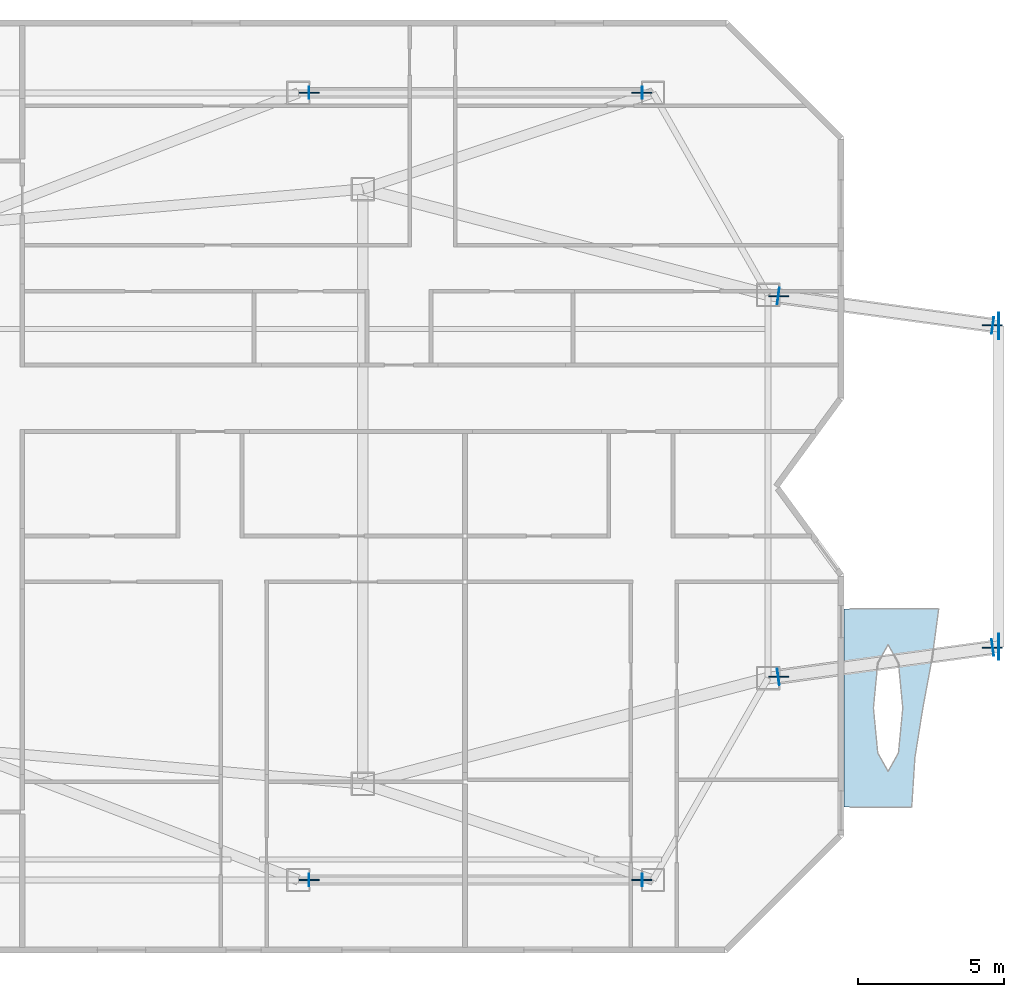
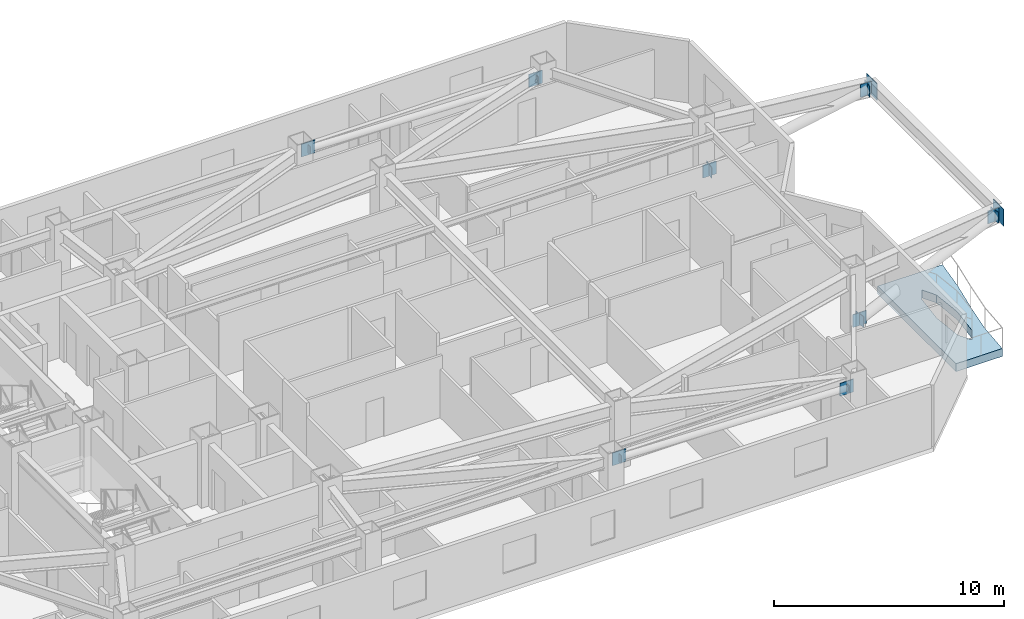
# One storey, part 7 of 14: 18 plates, 1 slab.
"""IFC4 building model written with IfcOpenShell, lengths in metres."""

from ifc_helpers import new_model, si_unit, direction, frame, origin, origin_2d, place, context, subcontext, project, spatial, polyline, rectangle, outline, extrude, material, layer, layer_set, type_object, element, save


model = new_model("IFC4")

# Units and contexts
model_context = context("Model", 3, precision=1e-05, world=origin(), true_north=direction((0.0, 1.0)))
body_context = subcontext(model_context, "Body", "Model", "MODEL_VIEW")
ifc_project = project(units=[si_unit("LENGTHUNIT", "METRE"), si_unit("AREAUNIT", "SQUARE_METRE"), si_unit("VOLUMEUNIT", "CUBIC_METRE"), si_unit("PLANEANGLEUNIT", "RADIAN"), si_unit("MASSUNIT", "GRAM", prefix="KILO")], contexts=[model_context])

# Site, building, storey
site_placement = place(None, origin())
site = spatial("IfcSite", under=ifc_project, at=site_placement, CompositionType="ELEMENT")
building_placement = place(site_placement, origin())
building = spatial("IfcBuilding", under=site, at=building_placement, Name="Khamvora Tower", CompositionType="ELEMENT")
storey_placement = place(building_placement, frame((0.0, 0.0, 261.0)))
storey = spatial("IfcBuildingStorey", under=building, at=storey_placement, Name="L67", CompositionType="ELEMENT", Elevation=261.0)

# Plates
ifc_material_1 = material(Name="Steel S355", Category="steel")
ifc_layer_1 = layer(ifc_material_1, 0.02490234375)
ifc_layer_set_1 = layer_set([ifc_layer_1], Name="Steel S355")
plate_type_1 = type_object("IfcPlateType", Name="PL-CAP-25", PredefinedType="SHEET", material=ifc_layer_set_1)
for number, where, z_axis, x_axis, name in (
    (1, (75.113037109375, 22.5, 2.3701171875), (0.0, 0.0, 1.0), (1.0, 0.0, 0.0), "L67 sky-pool cantilever tip cap plate 1"),
    (2, (75.113037109375, 33.5, 2.3701171875), (0.0, 0.0, 1.0), (1.0, 0.0, 0.0), "L67 sky-pool cantilever tip cap plate 2"),
):
    element("IfcPlate", number, at=place(storey_placement, frame(where, z_axis=z_axis, x_axis=x_axis)), inside=storey, type_object=plate_type_1, Name=name, PredefinedType="SHEET", context=body_context, shape_type="SweptSolid", body=[
        extrude(rectangle(XDim=0.02490234375, YDim=0.89990234375, at=origin_2d()), origin(), (0.0, 0.0, 1.0), 0.89990234375),
    ])
for number, where, z_axis, x_axis, name in (
    (3, (67.547119140625, 21.471923828125, 0.17578125), (0.0, 0.0, 1.0), (0.990865897387, 0.134850930274, 0.0), "L67 hollow section steel end cap plate 1178"),
    (4, (74.904052734375, 22.47412109375, 2.50390625), (0.0, 0.0, 1.0), (0.990865897387, 0.134850930274, 0.0), "L67 hollow section steel end cap plate 1179"),
    (5, (67.547119140625, 34.528076171875, 0.17578125), (0.0, 0.0, 1.0), (0.990865897387, -0.134850930274, 0.0), "L67 hollow section steel end cap plate 1180"),
    (6, (74.904052734375, 33.52587890625, 2.50390625), (0.0, 0.0, 1.0), (0.990865897387, -0.134850930274, 0.0), "L67 hollow section steel end cap plate 1181"),
):
    element("IfcPlate", number, at=place(storey_placement, frame(where, z_axis=z_axis, x_axis=x_axis)), inside=storey, type_object=plate_type_1, Name=name, PredefinedType="SHEET", context=body_context, shape_type="SweptSolid", body=[
        extrude(rectangle(XDim=0.02490234375, YDim=0.568115234375, at=origin_2d()), origin(), (0.0, 0.0, 1.0), 0.568115234375),
    ])
for number, where, z_axis, x_axis, name in (
    (7, (62.882080078125, 14.5, 2.48193359375), (0.0, 0.0, 1.0), (-1.0, 0.0, 0.0), "L67 hollow section steel end cap plate 1182"),
    (8, (51.450927734375, 14.5, 2.784912109375), (0.0, 0.0, 1.0), (-1.0, 0.0, 0.0), "L67 hollow section steel end cap plate 1183"),
    (9, (62.882080078125, 41.5, 2.48193359375), (0.0, 0.0, 1.0), (-1.0, 0.0, 0.0), "L67 hollow section steel end cap plate 1184"),
    (10, (51.450927734375, 41.5, 2.784912109375), (0.0, 0.0, 1.0), (-1.0, 0.0, 0.0), "L67 hollow section steel end cap plate 1185"),
):
    element("IfcPlate", number, at=place(storey_placement, frame(where, z_axis=z_axis, x_axis=x_axis)), inside=storey, type_object=plate_type_1, Name=name, PredefinedType="SHEET", context=body_context, shape_type="SweptSolid", body=[
        extrude(rectangle(XDim=0.02490234375, YDim=0.416015625, at=origin_2d()), origin(), (0.0, 0.0, 1.0), 0.416015625),
    ])
ifc_material_2 = material(Name="Steel S460", Category="steel")
ifc_layer_2 = layer(ifc_material_2, 0.0400390625)
ifc_layer_set_2 = layer_set([ifc_layer_2], Name="Steel S460")
plate_type_2 = type_object("IfcPlateType", Name="PLT-GUS-40", PredefinedType="SHEET", material=ifc_layer_set_2)
for number, where, z_axis, x_axis, name in (
    (11, (67.55908203125, 21.47412109375, 0.1240234375), (0.0, 0.0, 1.0), (1.0, 0.0, 0.0), "L67 brace connection node gusset plate 0421"),
    (12, (74.89208984375, 22.471923828125, 2.44384765625), (0.0, 0.0, 1.0), (1.0, 0.0, 0.0), "L67 brace connection node gusset plate 0422"),
    (13, (67.55908203125, 34.52587890625, 0.1240234375), (0.0, 0.0, 1.0), (1.0, 0.0, 0.0), "L67 brace connection node gusset plate 0423"),
    (14, (74.89208984375, 33.528076171875, 2.44384765625), (0.0, 0.0, 1.0), (1.0, 0.0, 0.0), "L67 brace connection node gusset plate 0424"),
    (15, (62.8701171875, 14.5, 2.35009765625), (0.0, 0.0, 1.0), (1.0, 0.0, 0.0), "L67 brace connection node gusset plate 0425"),
    (16, (51.462890625, 14.5, 2.65283203125), (0.0, 0.0, 1.0), (1.0, 0.0, 0.0), "L67 brace connection node gusset plate 0426"),
    (17, (62.8701171875, 41.5, 2.35009765625), (0.0, 0.0, 1.0), (1.0, 0.0, 0.0), "L67 brace connection node gusset plate 0427"),
    (18, (51.462890625, 41.5, 2.65283203125), (0.0, 0.0, 1.0), (1.0, 0.0, 0.0), "L67 brace connection node gusset plate 0428"),
):
    element("IfcPlate", number, at=place(storey_placement, frame(where, z_axis=z_axis, x_axis=x_axis)), inside=storey, type_object=plate_type_2, Name=name, PredefinedType="SHEET", context=body_context, shape_type="SweptSolid", body=[
        extrude(rectangle(XDim=0.679931640625, YDim=0.0400390625, at=origin_2d()), origin(), (0.0, 0.0, 1.0), 0.679931640625),
    ])

# Slab
ifc_material_3 = material(Name="Concrete C40/50", Category="concrete")
ifc_layer_3 = layer(ifc_material_3, 0.419921875)
ifc_layer_set_3 = layer_set([ifc_layer_3], Name="Concrete C40/50")
slab_type = type_object("IfcSlabType", Name="SLB-GRD-420", PredefinedType="FLOOR", material=ifc_layer_set_3)
slab_placement = place(storey_placement, frame((0.0, 0.0, -0.419921875)))
element("IfcSlab", 19, at=slab_placement, inside=storey, type_object=slab_type, Name="L67 external lens gallery slab EL1", PredefinedType="FLOOR", context=body_context, shape_type="SweptSolid", body=[
    extrude(outline(polyline([(72.125, 17.0), (72.23388671875, 18.699951171875), (72.506103515625, 20.39990234375), (72.822998046875, 22.10009765625), (73.050048828125, 23.800048828125), (69.800048828125, 23.800048828125), (69.800048828125, 17.0), (72.125, 17.0)]), holes=[polyline([(71.819091796875, 20.39990234375), (71.6708984375, 21.93896484375), (71.31494140625, 22.575927734375), (70.958984375, 21.93896484375), (70.81103515625, 20.39990234375), (70.958984375, 18.861083984375), (71.31494140625, 18.22412109375), (71.6708984375, 18.861083984375), (71.819091796875, 20.39990234375)])]), origin(), (0.0, 0.0, 1.0), 0.419921875),
])

save(model, "model.ifc")
